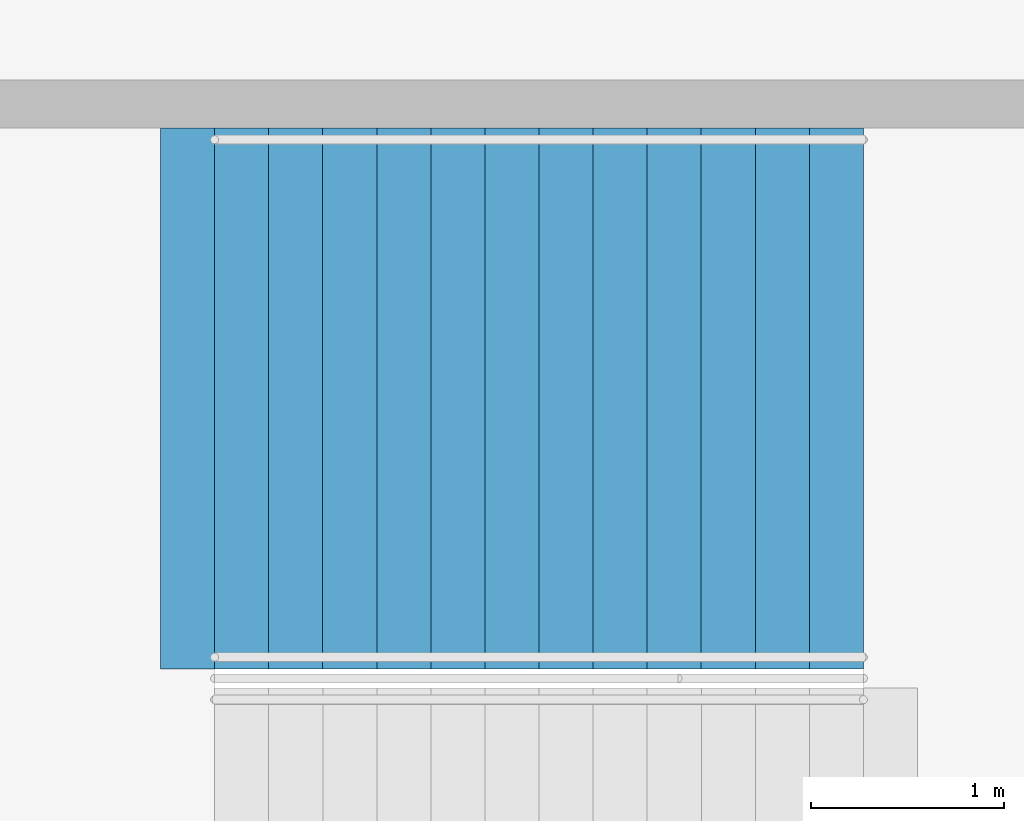
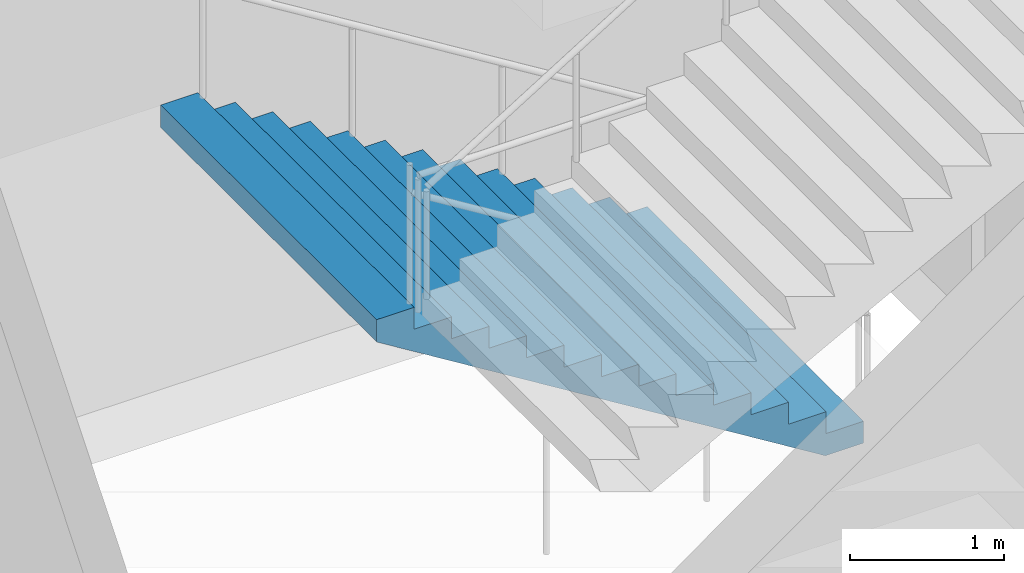
# One storey, part 154 of 199: 1 stair flight, 1 element without a shape of its own.
"""IFC4 building model written with IfcOpenShell, lengths in metres."""

from ifc_helpers import new_model, si_unit, direction, frame, origin, place, context, subcontext, project, spatial, faceted_brep, material, type_object, element, aggregate, save


model = new_model("IFC4")

# Units and contexts
model_context = context("Model", 3, precision=1e-05, world=origin(), true_north=direction((0.0, 1.0)))
body_context = subcontext(model_context, "Body", "Model", "MODEL_VIEW")
ifc_project = project(units=[si_unit("LENGTHUNIT", "METRE"), si_unit("AREAUNIT", "SQUARE_METRE"), si_unit("VOLUMEUNIT", "CUBIC_METRE"), si_unit("PLANEANGLEUNIT", "RADIAN"), si_unit("MASSUNIT", "GRAM", prefix="KILO")], contexts=[model_context])

# Site, building, storey
site_placement = place(None, origin())
site = spatial("IfcSite", under=ifc_project, at=site_placement, CompositionType="ELEMENT")
building_placement = place(site_placement, origin())
building = spatial("IfcBuilding", under=site, at=building_placement, Name="Ogive Plaza Stadium", CompositionType="ELEMENT")
storey_placement = place(building_placement, frame((0.0, 0.0, 9.0)))
storey = spatial("IfcBuildingStorey", under=building, at=storey_placement, Name="L02", CompositionType="ELEMENT", Elevation=9.0)

# Stair, stair flight
ifc_material_1 = material(Name="Concrete C40/50", Category="concrete")
stair_type = type_object("IfcStairType", Name="Exit stair", PredefinedType="STRAIGHT_RUN_STAIR", material=ifc_material_1)
stair_placement = place(storey_placement, origin())
stair = element("IfcStair", 1, at=stair_placement, inside=storey, type_object=stair_type, Name="Exit stair ST28A L02 to L03", PredefinedType="STRAIGHT_RUN_STAIR")
ifc_material_2 = material(Name="Concrete C40/50", Category="concrete")
stair_flight_type = type_object("IfcStairFlightType", Name="Exit stair flight", PredefinedType="STRAIGHT", material=ifc_material_2)
stair_flight_placement = place(storey_placement, frame((-76.35009765625, 56.925048828125, 0.0), z_axis=(0.0, 0.0, 1.0), x_axis=(-1.0, 0.0, 0.0)))
stair_flight = element("IfcStairFlight", 2, at=stair_flight_placement, type_object=stair_flight_type, Name="ST28A flight 1", NumberOfRisers=13, NumberOfTreads=12, PredefinedType="STRAIGHT", RiserHeight=0.173076923, TreadLength=0.28, context=body_context, shape_type="Brep", body=[
    faceted_brep([(0.28515625, -1.39990234375, 0.0), (3.639892578125, -1.39990234375, 2.07373046875), (3.639892578125, -1.39990234375, 2.25), (3.360107421875, -1.39990234375, 2.25), (3.360107421875, -1.39990234375, 2.076904296875), (3.080078125, -1.39990234375, 2.076904296875), (3.080078125, -1.39990234375, 1.90380859375), (2.800048828125, -1.39990234375, 1.90380859375), (2.800048828125, -1.39990234375, 1.730712890625), (2.52001953125, -1.39990234375, 1.730712890625), (2.52001953125, -1.39990234375, 1.5576171875), (2.239990234375, -1.39990234375, 1.5576171875), (2.239990234375, -1.39990234375, 1.384521484375), (1.9599609375, -1.39990234375, 1.384521484375), (1.9599609375, -1.39990234375, 1.21142578125), (1.679931640625, -1.39990234375, 1.21142578125), (1.679931640625, -1.39990234375, 1.03857421875), (1.39990234375, -1.39990234375, 1.03857421875), (1.39990234375, -1.39990234375, 0.865478515625), (1.1201171875, -1.39990234375, 0.865478515625), (1.1201171875, -1.39990234375, 0.6923828125), (0.840087890625, -1.39990234375, 0.6923828125), (0.840087890625, -1.39990234375, 0.519287109375), (0.56005859375, -1.39990234375, 0.519287109375), (0.56005859375, -1.39990234375, 0.34619140625), (0.280029296875, -1.39990234375, 0.34619140625), (0.280029296875, -1.39990234375, 0.173095703125), (0.0, -1.39990234375, 0.173095703125), (0.0, -1.39990234375, 0.0), (0.0, 1.39990234375, 0.0), (0.0, 1.39990234375, 0.173095703125), (0.280029296875, 1.39990234375, 0.173095703125), (0.280029296875, 1.39990234375, 0.34619140625), (0.56005859375, 1.39990234375, 0.34619140625), (0.56005859375, 1.39990234375, 0.519287109375), (0.840087890625, 1.39990234375, 0.519287109375), (0.840087890625, 1.39990234375, 0.6923828125), (1.1201171875, 1.39990234375, 0.6923828125), (1.1201171875, 1.39990234375, 0.865478515625), (1.39990234375, 1.39990234375, 0.865478515625), (1.39990234375, 1.39990234375, 1.03857421875), (1.679931640625, 1.39990234375, 1.03857421875), (1.679931640625, 1.39990234375, 1.21142578125), (1.9599609375, 1.39990234375, 1.21142578125), (1.9599609375, 1.39990234375, 1.384521484375), (2.239990234375, 1.39990234375, 1.384521484375), (2.239990234375, 1.39990234375, 1.5576171875), (2.52001953125, 1.39990234375, 1.5576171875), (2.52001953125, 1.39990234375, 1.730712890625), (2.800048828125, 1.39990234375, 1.730712890625), (2.800048828125, 1.39990234375, 1.90380859375), (3.080078125, 1.39990234375, 1.90380859375), (3.080078125, 1.39990234375, 2.076904296875), (3.360107421875, 1.39990234375, 2.076904296875), (3.360107421875, 1.39990234375, 2.25), (3.639892578125, 1.39990234375, 2.25), (3.639892578125, 1.39990234375, 2.07373046875), (0.28515625, 1.39990234375, 0.0), (0.28515625, -1.0888671875, 0.0), (3.639892578125, -1.0888671875, 2.07373046875), (0.28515625, -0.77783203125, 0.0), (3.639892578125, -0.77783203125, 2.07373046875), (0.28515625, -0.466796875, 0.0), (3.639892578125, -0.466796875, 2.07373046875), (0.28515625, -0.155517578125, 0.0), (3.639892578125, -0.155517578125, 2.07373046875), (0.28515625, 0.155517578125, 0.0), (3.639892578125, 0.155517578125, 2.07373046875), (0.28515625, 0.466796875, 0.0), (3.639892578125, 0.466796875, 2.07373046875), (0.28515625, 0.77783203125, 0.0), (3.639892578125, 0.77783203125, 2.07373046875), (0.28515625, 1.0888671875, 0.0), (3.639892578125, 1.0888671875, 2.07373046875), (3.639892578125, -1.0888671875, 2.25), (3.639892578125, -0.77783203125, 2.25), (3.639892578125, -0.466796875, 2.25), (3.639892578125, -0.155517578125, 2.25), (3.639892578125, 0.155517578125, 2.25), (3.639892578125, 0.466796875, 2.25), (3.639892578125, 0.77783203125, 2.25), (3.639892578125, 1.0888671875, 2.25), (3.360107421875, -1.0888671875, 2.25), (3.360107421875, -0.77783203125, 2.25), (3.360107421875, -0.466796875, 2.25), (3.360107421875, -0.155517578125, 2.25), (3.360107421875, 0.155517578125, 2.25), (3.360107421875, 0.466796875, 2.25), (3.360107421875, 0.77783203125, 2.25), (3.360107421875, 1.0888671875, 2.25), (3.360107421875, -1.0888671875, 2.076904296875), (3.360107421875, -0.77783203125, 2.076904296875), (3.360107421875, -0.466796875, 2.076904296875), (3.360107421875, -0.155517578125, 2.076904296875), (3.360107421875, 0.155517578125, 2.076904296875), (3.360107421875, 0.466796875, 2.076904296875), (3.360107421875, 0.77783203125, 2.076904296875), (3.360107421875, 1.0888671875, 2.076904296875), (3.080078125, -1.0888671875, 2.076904296875), (3.080078125, -0.77783203125, 2.076904296875), (3.080078125, -0.466796875, 2.076904296875), (3.080078125, -0.155517578125, 2.076904296875), (3.080078125, 0.155517578125, 2.076904296875), (3.080078125, 0.466796875, 2.076904296875), (3.080078125, 0.77783203125, 2.076904296875), (3.080078125, 1.0888671875, 2.076904296875), (3.080078125, -1.0888671875, 1.90380859375), (3.080078125, -0.77783203125, 1.90380859375), (3.080078125, -0.466796875, 1.90380859375), (3.080078125, -0.155517578125, 1.90380859375), (3.080078125, 0.155517578125, 1.90380859375), (3.080078125, 0.466796875, 1.90380859375), (3.080078125, 0.77783203125, 1.90380859375), (3.080078125, 1.0888671875, 1.90380859375), (2.800048828125, -1.0888671875, 1.90380859375), (2.800048828125, -0.77783203125, 1.90380859375), (2.800048828125, -0.466796875, 1.90380859375), (2.800048828125, -0.155517578125, 1.90380859375), (2.800048828125, 0.155517578125, 1.90380859375), (2.800048828125, 0.466796875, 1.90380859375), (2.800048828125, 0.77783203125, 1.90380859375), (2.800048828125, 1.0888671875, 1.90380859375), (2.800048828125, -1.0888671875, 1.730712890625), (2.800048828125, -0.77783203125, 1.730712890625), (2.800048828125, -0.466796875, 1.730712890625), (2.800048828125, -0.155517578125, 1.730712890625), (2.800048828125, 0.155517578125, 1.730712890625), (2.800048828125, 0.466796875, 1.730712890625), (2.800048828125, 0.77783203125, 1.730712890625), (2.800048828125, 1.0888671875, 1.730712890625), (2.52001953125, -1.0888671875, 1.730712890625), (2.52001953125, -0.77783203125, 1.730712890625), (2.52001953125, -0.466796875, 1.730712890625), (2.52001953125, -0.155517578125, 1.730712890625), (2.52001953125, 0.155517578125, 1.730712890625), (2.52001953125, 0.466796875, 1.730712890625), (2.52001953125, 0.77783203125, 1.730712890625), (2.52001953125, 1.0888671875, 1.730712890625), (2.52001953125, -1.0888671875, 1.5576171875), (2.52001953125, -0.77783203125, 1.5576171875), (2.52001953125, -0.466796875, 1.5576171875), (2.52001953125, -0.155517578125, 1.5576171875), (2.52001953125, 0.155517578125, 1.5576171875), (2.52001953125, 0.466796875, 1.5576171875), (2.52001953125, 0.77783203125, 1.5576171875), (2.52001953125, 1.0888671875, 1.5576171875), (2.239990234375, -1.0888671875, 1.5576171875), (2.239990234375, -0.77783203125, 1.5576171875), (2.239990234375, -0.466796875, 1.5576171875), (2.239990234375, -0.155517578125, 1.5576171875), (2.239990234375, 0.155517578125, 1.5576171875), (2.239990234375, 0.466796875, 1.5576171875), (2.239990234375, 0.77783203125, 1.5576171875), (2.239990234375, 1.0888671875, 1.5576171875), (2.239990234375, -1.0888671875, 1.384521484375), (2.239990234375, -0.77783203125, 1.384521484375), (2.239990234375, -0.466796875, 1.384521484375), (2.239990234375, -0.155517578125, 1.384521484375), (2.239990234375, 0.155517578125, 1.384521484375), (2.239990234375, 0.466796875, 1.384521484375), (2.239990234375, 0.77783203125, 1.384521484375), (2.239990234375, 1.0888671875, 1.384521484375), (1.9599609375, -1.0888671875, 1.384521484375), (1.9599609375, -0.77783203125, 1.384521484375), (1.9599609375, -0.466796875, 1.384521484375), (1.9599609375, -0.155517578125, 1.384521484375), (1.9599609375, 0.155517578125, 1.384521484375), (1.9599609375, 0.466796875, 1.384521484375), (1.9599609375, 0.77783203125, 1.384521484375), (1.9599609375, 1.0888671875, 1.384521484375), (1.9599609375, -1.0888671875, 1.21142578125), (1.9599609375, -0.77783203125, 1.21142578125), (1.9599609375, -0.466796875, 1.21142578125), (1.9599609375, -0.155517578125, 1.21142578125), (1.9599609375, 0.155517578125, 1.21142578125), (1.9599609375, 0.466796875, 1.21142578125), (1.9599609375, 0.77783203125, 1.21142578125), (1.9599609375, 1.0888671875, 1.21142578125), (1.679931640625, -1.0888671875, 1.21142578125), (1.679931640625, -0.77783203125, 1.21142578125), (1.679931640625, -0.466796875, 1.21142578125), (1.679931640625, -0.155517578125, 1.21142578125), (1.679931640625, 0.155517578125, 1.21142578125), (1.679931640625, 0.466796875, 1.21142578125), (1.679931640625, 0.77783203125, 1.21142578125), (1.679931640625, 1.0888671875, 1.21142578125), (1.679931640625, -1.0888671875, 1.03857421875), (1.679931640625, -0.77783203125, 1.03857421875), (1.679931640625, -0.466796875, 1.03857421875), (1.679931640625, -0.155517578125, 1.03857421875), (1.679931640625, 0.155517578125, 1.03857421875), (1.679931640625, 0.466796875, 1.03857421875), (1.679931640625, 0.77783203125, 1.03857421875), (1.679931640625, 1.0888671875, 1.03857421875), (1.39990234375, -1.0888671875, 1.03857421875), (1.39990234375, -0.77783203125, 1.03857421875), (1.39990234375, -0.466796875, 1.03857421875), (1.39990234375, -0.155517578125, 1.03857421875), (1.39990234375, 0.155517578125, 1.03857421875), (1.39990234375, 0.466796875, 1.03857421875), (1.39990234375, 0.77783203125, 1.03857421875), (1.39990234375, 1.0888671875, 1.03857421875), (1.39990234375, -1.0888671875, 0.865478515625), (1.39990234375, -0.77783203125, 0.865478515625), (1.39990234375, -0.466796875, 0.865478515625), (1.39990234375, -0.155517578125, 0.865478515625), (1.39990234375, 0.155517578125, 0.865478515625), (1.39990234375, 0.466796875, 0.865478515625), (1.39990234375, 0.77783203125, 0.865478515625), (1.39990234375, 1.0888671875, 0.865478515625), (1.1201171875, -1.0888671875, 0.865478515625), (1.1201171875, -0.77783203125, 0.865478515625), (1.1201171875, -0.466796875, 0.865478515625), (1.1201171875, -0.155517578125, 0.865478515625), (1.1201171875, 0.155517578125, 0.865478515625), (1.1201171875, 0.466796875, 0.865478515625), (1.1201171875, 0.77783203125, 0.865478515625), (1.1201171875, 1.0888671875, 0.865478515625), (1.1201171875, -1.0888671875, 0.6923828125), (1.1201171875, -0.77783203125, 0.6923828125), (1.1201171875, -0.466796875, 0.6923828125), (1.1201171875, -0.155517578125, 0.6923828125), (1.1201171875, 0.155517578125, 0.6923828125), (1.1201171875, 0.466796875, 0.6923828125), (1.1201171875, 0.77783203125, 0.6923828125), (1.1201171875, 1.0888671875, 0.6923828125), (0.840087890625, -1.0888671875, 0.6923828125), (0.840087890625, -0.77783203125, 0.6923828125), (0.840087890625, -0.466796875, 0.6923828125), (0.840087890625, -0.155517578125, 0.6923828125), (0.840087890625, 0.155517578125, 0.6923828125), (0.840087890625, 0.466796875, 0.6923828125), (0.840087890625, 0.77783203125, 0.6923828125), (0.840087890625, 1.0888671875, 0.6923828125), (0.840087890625, -1.0888671875, 0.519287109375), (0.840087890625, -0.77783203125, 0.519287109375), (0.840087890625, -0.466796875, 0.519287109375), (0.840087890625, -0.155517578125, 0.519287109375), (0.840087890625, 0.155517578125, 0.519287109375), (0.840087890625, 0.466796875, 0.519287109375), (0.840087890625, 0.77783203125, 0.519287109375), (0.840087890625, 1.0888671875, 0.519287109375), (0.56005859375, -1.0888671875, 0.519287109375), (0.56005859375, -0.77783203125, 0.519287109375), (0.56005859375, -0.466796875, 0.519287109375), (0.56005859375, -0.155517578125, 0.519287109375), (0.56005859375, 0.155517578125, 0.519287109375), (0.56005859375, 0.466796875, 0.519287109375), (0.56005859375, 0.77783203125, 0.519287109375), (0.56005859375, 1.0888671875, 0.519287109375), (0.56005859375, -1.0888671875, 0.34619140625), (0.56005859375, -0.77783203125, 0.34619140625), (0.56005859375, -0.466796875, 0.34619140625), (0.56005859375, -0.155517578125, 0.34619140625), (0.56005859375, 0.155517578125, 0.34619140625), (0.56005859375, 0.466796875, 0.34619140625), (0.56005859375, 0.77783203125, 0.34619140625), (0.56005859375, 1.0888671875, 0.34619140625), (0.280029296875, -1.0888671875, 0.34619140625), (0.280029296875, -0.77783203125, 0.34619140625), (0.280029296875, -0.466796875, 0.34619140625), (0.280029296875, -0.155517578125, 0.34619140625), (0.280029296875, 0.155517578125, 0.34619140625), (0.280029296875, 0.466796875, 0.34619140625), (0.280029296875, 0.77783203125, 0.34619140625), (0.280029296875, 1.0888671875, 0.34619140625), (0.280029296875, -1.0888671875, 0.173095703125), (0.280029296875, -0.77783203125, 0.173095703125), (0.280029296875, -0.466796875, 0.173095703125), (0.280029296875, -0.155517578125, 0.173095703125), (0.280029296875, 0.155517578125, 0.173095703125), (0.280029296875, 0.466796875, 0.173095703125), (0.280029296875, 0.77783203125, 0.173095703125), (0.280029296875, 1.0888671875, 0.173095703125), (0.0, -1.0888671875, 0.173095703125), (0.0, -0.77783203125, 0.173095703125), (0.0, -0.466796875, 0.173095703125), (0.0, -0.155517578125, 0.173095703125), (0.0, 0.155517578125, 0.173095703125), (0.0, 0.466796875, 0.173095703125), (0.0, 0.77783203125, 0.173095703125), (0.0, 1.0888671875, 0.173095703125), (0.0, -1.0888671875, 0.0), (0.0, -0.77783203125, 0.0), (0.0, -0.466796875, 0.0), (0.0, -0.155517578125, 0.0), (0.0, 0.155517578125, 0.0), (0.0, 0.466796875, 0.0), (0.0, 0.77783203125, 0.0), (0.0, 1.0888671875, 0.0)], [[[0, 1, 2, 3, 4, 5, 6, 7, 8, 9, 10, 11, 12, 13, 14, 15, 16, 17, 18, 19, 20, 21, 22, 23, 24, 25, 26, 27, 28]], [[29, 30, 31, 32, 33, 34, 35, 36, 37, 38, 39, 40, 41, 42, 43, 44, 45, 46, 47, 48, 49, 50, 51, 52, 53, 54, 55, 56, 57]], [[0, 58, 59, 1]], [[58, 60, 61, 59]], [[60, 62, 63, 61]], [[62, 64, 65, 63]], [[64, 66, 67, 65]], [[66, 68, 69, 67]], [[68, 70, 71, 69]], [[70, 72, 73, 71]], [[72, 57, 56, 73]], [[1, 59, 74, 2]], [[59, 61, 75, 74]], [[61, 63, 76, 75]], [[63, 65, 77, 76]], [[65, 67, 78, 77]], [[67, 69, 79, 78]], [[69, 71, 80, 79]], [[71, 73, 81, 80]], [[73, 56, 55, 81]], [[2, 74, 82, 3]], [[74, 75, 83, 82]], [[75, 76, 84, 83]], [[76, 77, 85, 84]], [[77, 78, 86, 85]], [[78, 79, 87, 86]], [[79, 80, 88, 87]], [[80, 81, 89, 88]], [[81, 55, 54, 89]], [[3, 82, 90, 4]], [[82, 83, 91, 90]], [[83, 84, 92, 91]], [[84, 85, 93, 92]], [[85, 86, 94, 93]], [[86, 87, 95, 94]], [[87, 88, 96, 95]], [[88, 89, 97, 96]], [[89, 54, 53, 97]], [[4, 90, 98, 5]], [[90, 91, 99, 98]], [[91, 92, 100, 99]], [[92, 93, 101, 100]], [[93, 94, 102, 101]], [[94, 95, 103, 102]], [[95, 96, 104, 103]], [[96, 97, 105, 104]], [[97, 53, 52, 105]], [[5, 98, 106, 6]], [[98, 99, 107, 106]], [[99, 100, 108, 107]], [[100, 101, 109, 108]], [[101, 102, 110, 109]], [[102, 103, 111, 110]], [[103, 104, 112, 111]], [[104, 105, 113, 112]], [[105, 52, 51, 113]], [[6, 106, 114, 7]], [[106, 107, 115, 114]], [[107, 108, 116, 115]], [[108, 109, 117, 116]], [[109, 110, 118, 117]], [[110, 111, 119, 118]], [[111, 112, 120, 119]], [[112, 113, 121, 120]], [[113, 51, 50, 121]], [[7, 114, 122, 8]], [[114, 115, 123, 122]], [[115, 116, 124, 123]], [[116, 117, 125, 124]], [[117, 118, 126, 125]], [[118, 119, 127, 126]], [[119, 120, 128, 127]], [[120, 121, 129, 128]], [[121, 50, 49, 129]], [[8, 122, 130, 9]], [[122, 123, 131, 130]], [[123, 124, 132, 131]], [[124, 125, 133, 132]], [[125, 126, 134, 133]], [[126, 127, 135, 134]], [[127, 128, 136, 135]], [[128, 129, 137, 136]], [[129, 49, 48, 137]], [[9, 130, 138, 10]], [[130, 131, 139, 138]], [[131, 132, 140, 139]], [[132, 133, 141, 140]], [[133, 134, 142, 141]], [[134, 135, 143, 142]], [[135, 136, 144, 143]], [[136, 137, 145, 144]], [[137, 48, 47, 145]], [[10, 138, 146, 11]], [[138, 139, 147, 146]], [[139, 140, 148, 147]], [[140, 141, 149, 148]], [[141, 142, 150, 149]], [[142, 143, 151, 150]], [[143, 144, 152, 151]], [[144, 145, 153, 152]], [[145, 47, 46, 153]], [[11, 146, 154, 12]], [[146, 147, 155, 154]], [[147, 148, 156, 155]], [[148, 149, 157, 156]], [[149, 150, 158, 157]], [[150, 151, 159, 158]], [[151, 152, 160, 159]], [[152, 153, 161, 160]], [[153, 46, 45, 161]], [[12, 154, 162, 13]], [[154, 155, 163, 162]], [[155, 156, 164, 163]], [[156, 157, 165, 164]], [[157, 158, 166, 165]], [[158, 159, 167, 166]], [[159, 160, 168, 167]], [[160, 161, 169, 168]], [[161, 45, 44, 169]], [[13, 162, 170, 14]], [[162, 163, 171, 170]], [[163, 164, 172, 171]], [[164, 165, 173, 172]], [[165, 166, 174, 173]], [[166, 167, 175, 174]], [[167, 168, 176, 175]], [[168, 169, 177, 176]], [[169, 44, 43, 177]], [[14, 170, 178, 15]], [[170, 171, 179, 178]], [[171, 172, 180, 179]], [[172, 173, 181, 180]], [[173, 174, 182, 181]], [[174, 175, 183, 182]], [[175, 176, 184, 183]], [[176, 177, 185, 184]], [[177, 43, 42, 185]], [[15, 178, 186, 16]], [[178, 179, 187, 186]], [[179, 180, 188, 187]], [[180, 181, 189, 188]], [[181, 182, 190, 189]], [[182, 183, 191, 190]], [[183, 184, 192, 191]], [[184, 185, 193, 192]], [[185, 42, 41, 193]], [[16, 186, 194, 17]], [[186, 187, 195, 194]], [[187, 188, 196, 195]], [[188, 189, 197, 196]], [[189, 190, 198, 197]], [[190, 191, 199, 198]], [[191, 192, 200, 199]], [[192, 193, 201, 200]], [[193, 41, 40, 201]], [[17, 194, 202, 18]], [[194, 195, 203, 202]], [[195, 196, 204, 203]], [[196, 197, 205, 204]], [[197, 198, 206, 205]], [[198, 199, 207, 206]], [[199, 200, 208, 207]], [[200, 201, 209, 208]], [[201, 40, 39, 209]], [[18, 202, 210, 19]], [[202, 203, 211, 210]], [[203, 204, 212, 211]], [[204, 205, 213, 212]], [[205, 206, 214, 213]], [[206, 207, 215, 214]], [[207, 208, 216, 215]], [[208, 209, 217, 216]], [[209, 39, 38, 217]], [[19, 210, 218, 20]], [[210, 211, 219, 218]], [[211, 212, 220, 219]], [[212, 213, 221, 220]], [[213, 214, 222, 221]], [[214, 215, 223, 222]], [[215, 216, 224, 223]], [[216, 217, 225, 224]], [[217, 38, 37, 225]], [[20, 218, 226, 21]], [[218, 219, 227, 226]], [[219, 220, 228, 227]], [[220, 221, 229, 228]], [[221, 222, 230, 229]], [[222, 223, 231, 230]], [[223, 224, 232, 231]], [[224, 225, 233, 232]], [[225, 37, 36, 233]], [[21, 226, 234, 22]], [[226, 227, 235, 234]], [[227, 228, 236, 235]], [[228, 229, 237, 236]], [[229, 230, 238, 237]], [[230, 231, 239, 238]], [[231, 232, 240, 239]], [[232, 233, 241, 240]], [[233, 36, 35, 241]], [[22, 234, 242, 23]], [[234, 235, 243, 242]], [[235, 236, 244, 243]], [[236, 237, 245, 244]], [[237, 238, 246, 245]], [[238, 239, 247, 246]], [[239, 240, 248, 247]], [[240, 241, 249, 248]], [[241, 35, 34, 249]], [[23, 242, 250, 24]], [[242, 243, 251, 250]], [[243, 244, 252, 251]], [[244, 245, 253, 252]], [[245, 246, 254, 253]], [[246, 247, 255, 254]], [[247, 248, 256, 255]], [[248, 249, 257, 256]], [[249, 34, 33, 257]], [[24, 250, 258, 25]], [[250, 251, 259, 258]], [[251, 252, 260, 259]], [[252, 253, 261, 260]], [[253, 254, 262, 261]], [[254, 255, 263, 262]], [[255, 256, 264, 263]], [[256, 257, 265, 264]], [[257, 33, 32, 265]], [[25, 258, 266, 26]], [[258, 259, 267, 266]], [[259, 260, 268, 267]], [[260, 261, 269, 268]], [[261, 262, 270, 269]], [[262, 263, 271, 270]], [[263, 264, 272, 271]], [[264, 265, 273, 272]], [[265, 32, 31, 273]], [[26, 266, 274, 27]], [[266, 267, 275, 274]], [[267, 268, 276, 275]], [[268, 269, 277, 276]], [[269, 270, 278, 277]], [[270, 271, 279, 278]], [[271, 272, 280, 279]], [[272, 273, 281, 280]], [[273, 31, 30, 281]], [[27, 274, 282, 28]], [[274, 275, 283, 282]], [[275, 276, 284, 283]], [[276, 277, 285, 284]], [[277, 278, 286, 285]], [[278, 279, 287, 286]], [[279, 280, 288, 287]], [[280, 281, 289, 288]], [[281, 30, 29, 289]], [[28, 282, 58, 0]], [[282, 283, 60, 58]], [[283, 284, 62, 60]], [[284, 285, 64, 62]], [[285, 286, 66, 64]], [[286, 287, 68, 66]], [[287, 288, 70, 68]], [[288, 289, 72, 70]], [[289, 29, 57, 72]]]),
])
aggregate(stair, [stair_flight])

save(model, "model.ifc")
